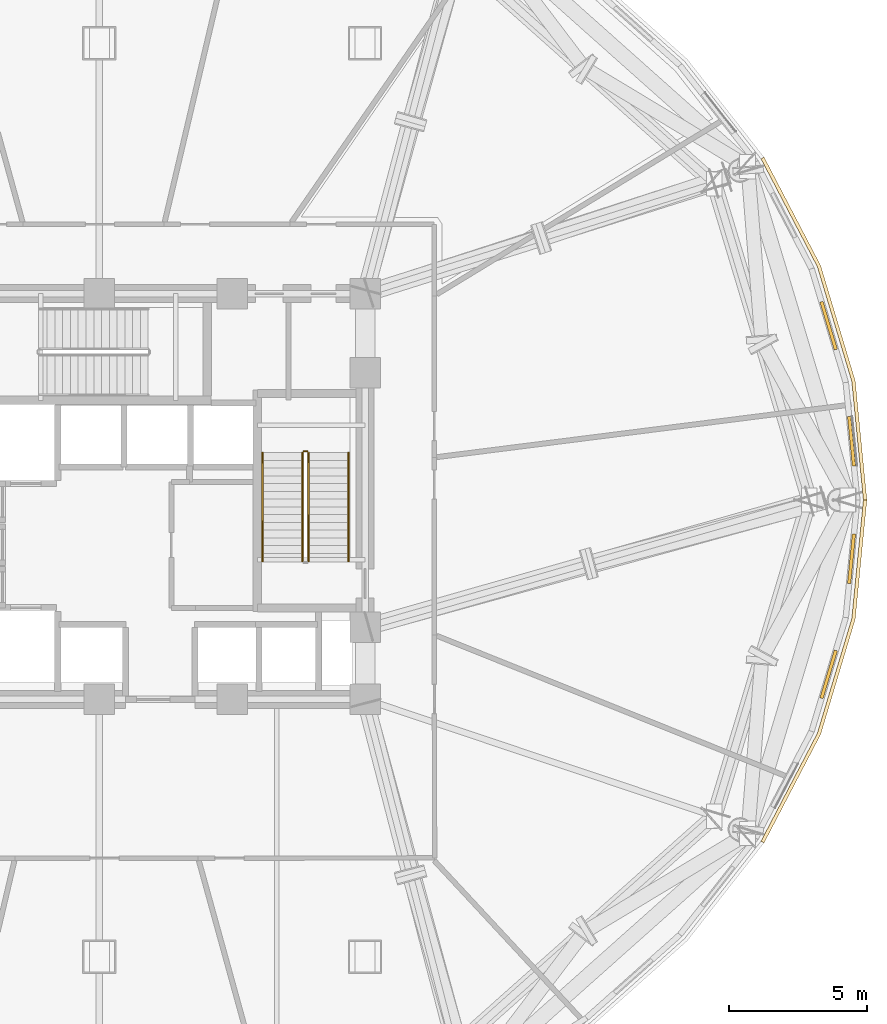
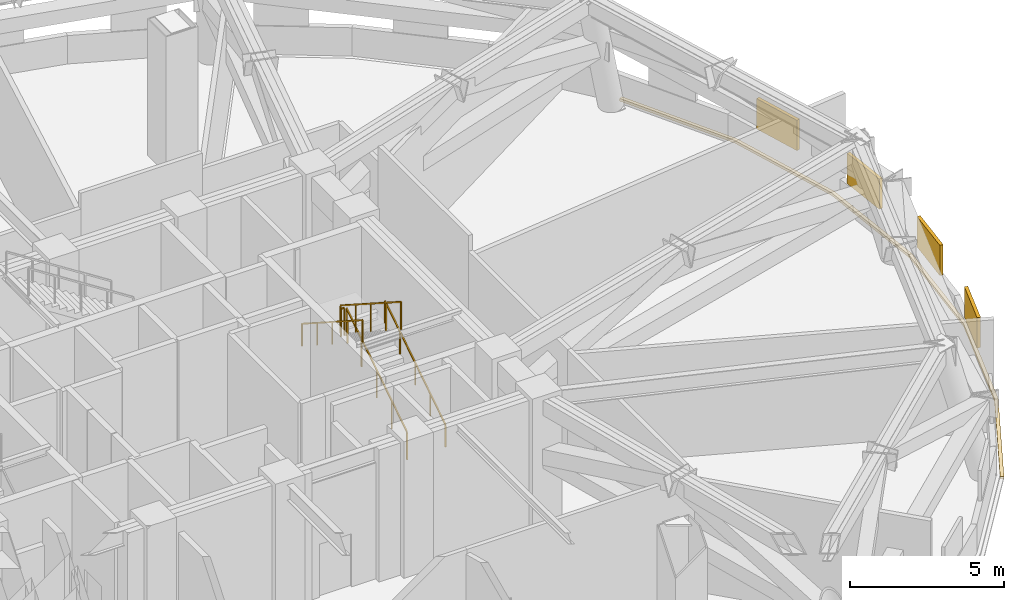
# One storey, part 13 of 14: 5 railings, 4 shading devices, 2 coverings.
"""IFC4 building model written with IfcOpenShell, lengths in metres."""

from ifc_helpers import new_model, si_unit, direction, frame, origin, origin_2d, place, context, subcontext, project, spatial, polyline, rectangle, outline, extrude, material, layer, layer_set, type_object, element, save


model = new_model("IFC4")

# Units and contexts
model_context = context("Model", 3, precision=1e-05, world=origin(), true_north=direction((0.0, 1.0)))
body_context = subcontext(model_context, "Body", "Model", "MODEL_VIEW")
ifc_project = project(units=[si_unit("LENGTHUNIT", "METRE"), si_unit("AREAUNIT", "SQUARE_METRE"), si_unit("VOLUMEUNIT", "CUBIC_METRE"), si_unit("PLANEANGLEUNIT", "RADIAN"), si_unit("MASSUNIT", "GRAM", prefix="KILO")], contexts=[model_context])

# Site, building, storey
site_placement = place(None, origin())
site = spatial("IfcSite", under=ifc_project, at=site_placement, CompositionType="ELEMENT")
building_placement = place(site_placement, origin())
building = spatial("IfcBuilding", under=site, at=building_placement, Name="Vantalir Tower", CompositionType="ELEMENT")
storey_placement = place(building_placement, frame((0.0, 0.0, 90.75)))
storey = spatial("IfcBuildingStorey", under=building, at=storey_placement, Name="L22", CompositionType="ELEMENT", Elevation=90.75)

# Coverings
ifc_material_1 = material(Name="Anodised champagne aluminium sill fascia", Category="aluminium")
ifc_layer_1 = layer(ifc_material_1, 0.125)
ifc_layer_set_1 = layer_set([ifc_layer_1], Name="Anodised champagne aluminium sill fascia")
covering_type = type_object("IfcCoveringType", Name="COV-SLAB-FASCIA-125", PredefinedType="CLADDING", material=ifc_layer_set_1)
covering_1_placement = place(storey_placement, frame((0.0, 0.0, -0.179931640625)))
element("IfcCovering", 1, at=covering_1_placement, inside=storey, type_object=covering_type, Name="L22 Perimeter Slab-Edge Sill Fascia 01", PredefinedType="CLADDING", context=body_context, shape_type="SweptSolid", body=[
    extrude(outline(polyline([(59.22509765625, 25.0), (58.803955078125, 29.301025390625), (57.552978515625, 33.470947265625), (55.510986328125, 37.384033203125), (55.402099609375, 37.321044921875), (57.43603515625, 33.427978515625), (58.680908203125, 29.279052734375), (59.10009765625, 25.0), (59.22509765625, 25.0)])), origin(), (0.0, 0.0, 1.0), 0.10498046875),
])
covering_2_placement = place(storey_placement, frame((0.0, 0.0, -0.179931640625)))
element("IfcCovering", 2, at=covering_2_placement, inside=storey, type_object=covering_type, Name="L22 Perimeter Slab-Edge Sill Fascia 12", PredefinedType="CLADDING", context=body_context, shape_type="SweptSolid", body=[
    extrude(outline(polyline([(55.510986328125, 12.615966796875), (57.552978515625, 16.529052734375), (58.803955078125, 20.698974609375), (59.22509765625, 25.0), (59.10009765625, 25.0), (58.680908203125, 20.720947265625), (57.43603515625, 16.572021484375), (55.402099609375, 12.677978515625), (55.510986328125, 12.615966796875)])), origin(), (0.0, 0.0, 1.0), 0.10498046875),
])

# Railings
ifc_material_2 = material(Name="Anodised aluminium and stainless steel guard", Category="steel")
railing_type_1 = type_object("IfcRailingType", Name="RAL-GUARD-1120", PredefinedType="GUARDRAIL", material=ifc_material_2)
railing_1_placement = place(storey_placement, frame((39.06005859375, 22.7900390625, 0.179931640625)))
element("IfcRailing", 3, at=railing_1_placement, inside=storey, type_object=railing_type_1, Name="L22 ST2 stair guard 1", PredefinedType="GUARDRAIL", context=body_context, shape_type="SweptSolid", body=[
    extrude(rectangle(XDim=0.048095703125, YDim=0.048095703125, at=origin_2d()), frame((0.0, 0.0, 1.09619140625), z_axis=(0.0, 0.841171666519, 0.540768182723), x_axis=(-1.0, 0.0, 0.0)), (0.0, 0.0, 1.0), 4.66015625),
    extrude(rectangle(XDim=0.0419921875, YDim=0.0419921875, at=origin_2d()), origin(), (0.0, 0.0, 1.0), 1.072021484375),
    extrude(rectangle(XDim=0.0419921875, YDim=0.0419921875, at=origin_2d()), frame((0.0, 0.97998046875, 0.6298828125)), (0.0, 0.0, 1.0), 1.072021484375),
    extrude(rectangle(XDim=0.0419921875, YDim=0.0419921875, at=origin_2d()), frame((0.0, 1.9599609375, 1.260009765625)), (0.0, 0.0, 1.0), 1.072021484375),
    extrude(rectangle(XDim=0.0419921875, YDim=0.0419921875, at=origin_2d()), frame((0.0, 2.93994140625, 1.89013671875)), (0.0, 0.0, 1.0), 1.072021484375),
    extrude(rectangle(XDim=0.0419921875, YDim=0.0419921875, at=origin_2d()), frame((0.0, 3.919921875, 2.52001953125)), (0.0, 0.0, 1.0), 1.072021484375),
])
railing_2_placement = place(storey_placement, frame((39.010009765625, 26.760009765625, 2.699951171875)))
element("IfcRailing", 4, at=railing_2_placement, inside=storey, type_object=railing_type_1, Name="L22 ST2 stair guard 2", PredefinedType="GUARDRAIL", context=body_context, shape_type="SweptSolid", body=[
    extrude(rectangle(XDim=0.048095703125, YDim=0.048095703125, at=origin_2d()), frame((0.0, 0.0, 1.09619140625), z_axis=(-1.0, 0.0, 0.0), x_axis=(0.0, -1.0, 0.0)), (0.0, 0.0, 1.0), 0.1201171875),
    extrude(rectangle(XDim=0.0419921875, YDim=0.0419921875, at=origin_2d()), origin(), (0.0, 0.0, 1.0), 1.072021484375),
    extrude(rectangle(XDim=0.0419921875, YDim=0.0419921875, at=origin_2d()), frame((-0.1201171875, 0.0, 0.0)), (0.0, 0.0, 1.0), 1.072021484375),
])
railing_3_placement = place(storey_placement, frame((38.840087890625, 26.7099609375, 2.8798828125)))
element("IfcRailing", 5, at=railing_3_placement, inside=storey, type_object=railing_type_1, Name="L22 ST2 stair guard 3", PredefinedType="GUARDRAIL", context=body_context, shape_type="SweptSolid", body=[
    extrude(rectangle(XDim=0.048095703125, YDim=0.048095703125, at=origin_2d()), frame((0.0, 0.0, 1.09619140625), z_axis=(0.0, -0.841171666519, 0.540768182723), x_axis=(1.0, 0.0, 0.0)), (0.0, 0.0, 1.0), 4.66015625),
    extrude(rectangle(XDim=0.0419921875, YDim=0.0419921875, at=origin_2d()), origin(), (0.0, 0.0, 1.0), 1.072021484375),
    extrude(rectangle(XDim=0.0419921875, YDim=0.0419921875, at=origin_2d()), frame((0.0, -0.97998046875, 0.6298828125)), (0.0, 0.0, 1.0), 1.072021484375),
    extrude(rectangle(XDim=0.0419921875, YDim=0.0419921875, at=origin_2d()), frame((0.0, -1.9599609375, 1.260009765625)), (0.0, 0.0, 1.0), 1.072021484375),
    extrude(rectangle(XDim=0.0419921875, YDim=0.0419921875, at=origin_2d()), frame((0.0, -2.93994140625, 1.89013671875)), (0.0, 0.0, 1.0), 1.072021484375),
    extrude(rectangle(XDim=0.0419921875, YDim=0.0419921875, at=origin_2d()), frame((0.0, -3.919921875, 2.52001953125)), (0.0, 0.0, 1.0), 1.072021484375),
])
ifc_material_3 = material(Name="Brushed stainless steel tubular handrail", Category="steel")
railing_type_2 = type_object("IfcRailingType", Name="RAL-HANDRAIL-900", PredefinedType="HANDRAIL", material=ifc_material_3)
railing_4_placement = place(storey_placement, frame((40.5, 22.7900390625, 0.179931640625)))
element("IfcRailing", 6, at=railing_4_placement, inside=storey, type_object=railing_type_2, Name="L22 ST2 stair handrail 1", PredefinedType="HANDRAIL", context=body_context, shape_type="SweptSolid", body=[
    extrude(rectangle(XDim=0.048095703125, YDim=0.048095703125, at=origin_2d()), frame((0.0, 0.0, 0.8759765625), z_axis=(0.0, 0.841171666519, 0.540768182723), x_axis=(-1.0, 0.0, 0.0)), (0.0, 0.0, 1.0), 4.66015625),
    extrude(rectangle(XDim=0.0419921875, YDim=0.0419921875, at=origin_2d()), origin(), (0.0, 0.0, 1.0), 0.851806640625),
    extrude(rectangle(XDim=0.0419921875, YDim=0.0419921875, at=origin_2d()), frame((0.0, 0.97998046875, 0.6298828125)), (0.0, 0.0, 1.0), 0.851806640625),
    extrude(rectangle(XDim=0.0419921875, YDim=0.0419921875, at=origin_2d()), frame((0.0, 1.9599609375, 1.260009765625)), (0.0, 0.0, 1.0), 0.851806640625),
    extrude(rectangle(XDim=0.0419921875, YDim=0.0419921875, at=origin_2d()), frame((0.0, 2.93994140625, 1.89013671875)), (0.0, 0.0, 1.0), 0.851806640625),
    extrude(rectangle(XDim=0.0419921875, YDim=0.0419921875, at=origin_2d()), frame((0.0, 3.919921875, 2.52001953125)), (0.0, 0.0, 1.0), 0.851806640625),
])
railing_5_placement = place(storey_placement, frame((37.39990234375, 26.7099609375, 2.8798828125)))
element("IfcRailing", 7, at=railing_5_placement, inside=storey, type_object=railing_type_2, Name="L22 ST2 stair handrail 2", PredefinedType="HANDRAIL", context=body_context, shape_type="SweptSolid", body=[
    extrude(rectangle(XDim=0.048095703125, YDim=0.048095703125, at=origin_2d()), frame((0.0, 0.0, 0.8759765625), z_axis=(0.0, -0.841171666519, 0.540768182723), x_axis=(1.0, 0.0, 0.0)), (0.0, 0.0, 1.0), 4.66015625),
    extrude(rectangle(XDim=0.0419921875, YDim=0.0419921875, at=origin_2d()), origin(), (0.0, 0.0, 1.0), 0.851806640625),
    extrude(rectangle(XDim=0.0419921875, YDim=0.0419921875, at=origin_2d()), frame((0.0, -0.97998046875, 0.6298828125)), (0.0, 0.0, 1.0), 0.851806640625),
    extrude(rectangle(XDim=0.0419921875, YDim=0.0419921875, at=origin_2d()), frame((0.0, -1.9599609375, 1.260009765625)), (0.0, 0.0, 1.0), 0.851806640625),
    extrude(rectangle(XDim=0.0419921875, YDim=0.0419921875, at=origin_2d()), frame((0.0, -2.93994140625, 1.89013671875)), (0.0, 0.0, 1.0), 0.851806640625),
    extrude(rectangle(XDim=0.0419921875, YDim=0.0419921875, at=origin_2d()), frame((0.0, -3.919921875, 2.52001953125)), (0.0, 0.0, 1.0), 0.851806640625),
])

# Shading devices
ifc_material_4 = material(Name="Champagne-silver PVDF aluminium storm louvre", Category="aluminium")
ifc_layer_2 = layer(ifc_material_4, 0.1201171875)
ifc_layer_set_2 = layer_set([ifc_layer_2], Name="Champagne-silver PVDF aluminium storm louvre")
shading_device_type = type_object("IfcShadingDeviceType", Name="SHD-STORM-LOUVRE", PredefinedType="JALOUSIE", material=ifc_layer_set_2)
for number, where, z_axis, x_axis, name in (
    (8, (58.672119140625, 27.1201171875, 1.1162109375), (0.0, 0.0, 1.0), (-0.09761763969, 0.99522399309, 0.0), "L22 Acoustic Storm Louvre R01"),
    (9, (57.845947265625, 31.297119140625, 1.1162109375), (0.0, 0.0, 1.0), (-0.287644698852, 0.957737191103, 0.0), "L22 Acoustic Storm Louvre R02"),
    (10, (57.845947265625, 18.702880859375, 1.1162109375), (0.0, 0.0, 1.0), (0.287644698852, 0.957737191103, 0.0), "L22 Acoustic Storm Louvre R35"),
    (11, (58.672119140625, 22.8798828125, 1.1162109375), (0.0, 0.0, 1.0), (0.09761763969, 0.99522399309, 0.0), "L22 Acoustic Storm Louvre R36"),
):
    element("IfcShadingDevice", number, at=place(storey_placement, frame(where, z_axis=z_axis, x_axis=x_axis)), inside=storey, type_object=shading_device_type, Name=name, PredefinedType="JALOUSIE", context=body_context, shape_type="SweptSolid", body=[
        extrude(rectangle(XDim=1.800048828125, YDim=0.1201171875, at=origin_2d()), origin(), (0.0, 0.0, 1.0), 1.199951171875),
    ])

save(model, "model.ifc")
